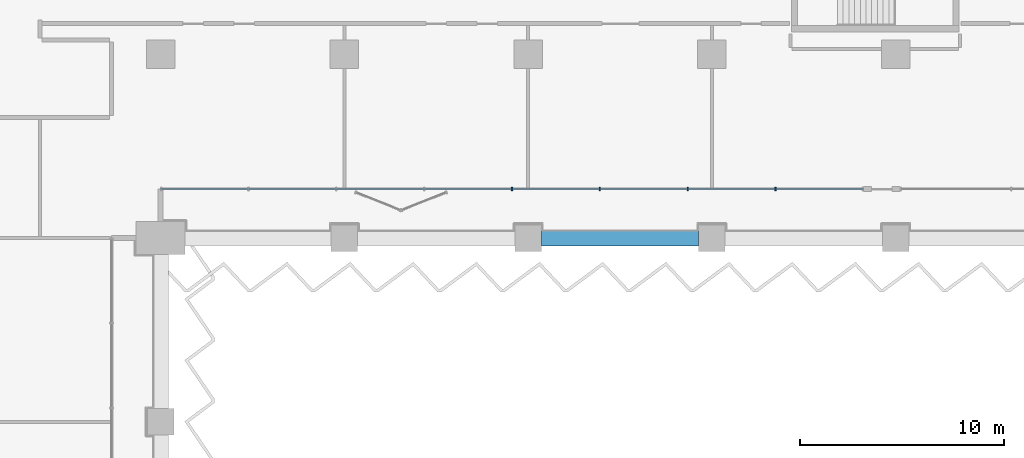
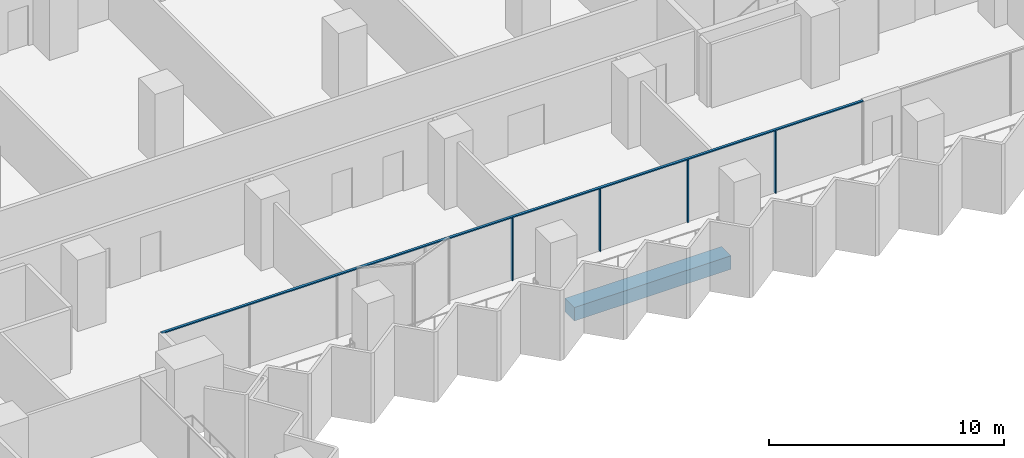
# One storey, part 5 of 28: 5 members, 1 beam, 1 element without a shape of its own.
"""IFC4 building model written with IfcOpenShell, lengths in metres."""

from ifc_helpers import new_model, si_unit, direction, frame, origin, origin_2d, place, context, subcontext, project, spatial, rectangle, extrude, material, material_profile, profile_set, type_object, element, aggregate, save


model = new_model("IFC4")

# Units and contexts
model_context = context("Model", 3, precision=1e-05, world=origin(), true_north=direction((0.0, 1.0)))
body_context = subcontext(model_context, "Body", "Model", "MODEL_VIEW")
ifc_project = project(units=[si_unit("LENGTHUNIT", "METRE"), si_unit("AREAUNIT", "SQUARE_METRE"), si_unit("VOLUMEUNIT", "CUBIC_METRE"), si_unit("PLANEANGLEUNIT", "RADIAN"), si_unit("MASSUNIT", "GRAM", prefix="KILO")], contexts=[model_context])

# Site, building, storey
site_placement = place(None, origin())
site = spatial("IfcSite", under=ifc_project, at=site_placement, CompositionType="ELEMENT")
building_placement = place(site_placement, origin())
building = spatial("IfcBuilding", under=site, at=building_placement, Name="Hunhe Ridgeline Campus", CompositionType="ELEMENT")
storey_placement = place(building_placement, frame((0.0, 0.0, 43.199951171875)))
storey = spatial("IfcBuildingStorey", under=building, at=storey_placement, Name="L09", CompositionType="ELEMENT", Elevation=43.199951171875)

# Curtain wall, members
ifc_material_1 = material(Name="Aluminium 6063", Category="aluminium")
curtain_wall_type = type_object("IfcCurtainWallType", Name="Curtain wall CW-1", PredefinedType="NOTDEFINED", material=ifc_material_1)
curtain_wall_placement = place(storey_placement, origin())
curtain_wall = element("IfcCurtainWall", 1, at=curtain_wall_placement, inside=storey, type_object=curtain_wall_type, Name="Curtain wall 13", PredefinedType="NOTDEFINED")
ifc_material_profile_1 = material_profile(ifc_material_1, rectangle(XDim=0.159912109375, YDim=0.06005859375, at=origin_2d()))
ifc_profile_set_1 = profile_set([ifc_material_profile_1], Name="Aluminium 6063")
member_type_1 = type_object("IfcMemberType", Name="CW-1 aluminium mullion", PredefinedType="MULLION", material=ifc_profile_set_1)
member_1_placement = place(storey_placement, frame((62.211669921875, 56.40087890625, 0.0), z_axis=(0.0, 0.0, 1.0), x_axis=(-3.602063e-06, 0.999999999994, 0.0)))
member_1 = element("IfcMember", 2, at=member_1_placement, type_object=member_type_1, Name="CW-1 mullion 5", PredefinedType="MULLION", context=body_context, shape_type="SweptSolid", body=[
    extrude(rectangle(XDim=0.159912109375, YDim=0.06005859375, at=origin_2d()), origin(), (0.0, 0.0, 1.0), 3.239990234375),
])
member_2_placement = place(storey_placement, frame((66.514892578125, 56.40087890625, 0.0), z_axis=(0.0, 0.0, 1.0), x_axis=(-3.602063e-06, 0.999999999994, 0.0)))
member_2 = element("IfcMember", 3, at=member_2_placement, type_object=member_type_1, Name="CW-1 mullion 6", PredefinedType="MULLION", context=body_context, shape_type="SweptSolid", body=[
    extrude(rectangle(XDim=0.159912109375, YDim=0.06005859375, at=origin_2d()), origin(), (0.0, 0.0, 1.0), 3.239990234375),
])
member_3_placement = place(storey_placement, frame((70.81787109375, 56.40087890625, 0.0), z_axis=(0.0, 0.0, 1.0), x_axis=(-3.602063e-06, 0.999999999994, 0.0)))
member_3 = element("IfcMember", 4, at=member_3_placement, type_object=member_type_1, Name="CW-1 mullion 7", PredefinedType="MULLION", context=body_context, shape_type="SweptSolid", body=[
    extrude(rectangle(XDim=0.159912109375, YDim=0.06005859375, at=origin_2d()), origin(), (0.0, 0.0, 1.0), 3.239990234375),
])
member_4_placement = place(storey_placement, frame((75.12109375, 56.40087890625, 0.0), z_axis=(0.0, 0.0, 1.0), x_axis=(-3.602063e-06, 0.999999999994, 0.0)))
member_4 = element("IfcMember", 5, at=member_4_placement, type_object=member_type_1, Name="CW-1 mullion 8", PredefinedType="MULLION", context=body_context, shape_type="SweptSolid", body=[
    extrude(rectangle(XDim=0.159912109375, YDim=0.06005859375, at=origin_2d()), origin(), (0.0, 0.0, 1.0), 3.239990234375),
])
ifc_material_profile_2 = material_profile(ifc_material_1, rectangle(XDim=0.1201171875, YDim=0.06005859375, at=origin_2d()))
ifc_profile_set_2 = profile_set([ifc_material_profile_2], Name="Aluminium 6063")
member_type_2 = type_object("IfcMemberType", Name="CW-1 aluminium transom", PredefinedType="USERDEFINED", material=ifc_profile_set_2)
member_5_placement = place(storey_placement, frame((44.99951171875, 56.40087890625, 3.27001953125), z_axis=(1.0, 0.0, 0.0), x_axis=(0.0, 1.0, 0.0)))
member_5 = element("IfcMember", 6, at=member_5_placement, type_object=member_type_2, Name="CW-1 transom 1", ObjectType="TRANSOM", PredefinedType="USERDEFINED", context=body_context, shape_type="SweptSolid", body=[
    extrude(rectangle(XDim=0.1201171875, YDim=0.06005859375, at=origin_2d()), origin(), (0.0, 0.0, 1.0), 34.424560546875),
])
aggregate(curtain_wall, [member_5, member_1, member_2, member_3, member_4])

# Beam
ifc_material_2 = material(Name="Concrete C60", Category="concrete")
ifc_material_profile_3 = material_profile(ifc_material_2, rectangle(XDim=0.800048828125, YDim=0.699951171875, at=origin_2d()))
ifc_profile_set_3 = profile_set([ifc_material_profile_3], Name="Concrete C60")
beam_type = type_object("IfcBeamType", Name="RC spandrel beam 800x700 Concrete C60", PredefinedType="SPANDREL", material=ifc_profile_set_3)
beam_placement = place(storey_placement, frame((63.64990234375, 54.0, -0.599853515625), z_axis=(1.0, 0.0, 0.0), x_axis=(0.0, 1.0, 0.0)))
element("IfcBeam", 7, at=beam_placement, inside=storey, type_object=beam_type, Name="Spandrel beam B1-14 L09", PredefinedType="SPANDREL", context=body_context, shape_type="SweptSolid", body=[
    extrude(rectangle(XDim=0.800048828125, YDim=0.699951171875, at=origin_2d()), origin(), (0.0, 0.0, 1.0), 7.7001953125),
])

save(model, "model.ifc")
